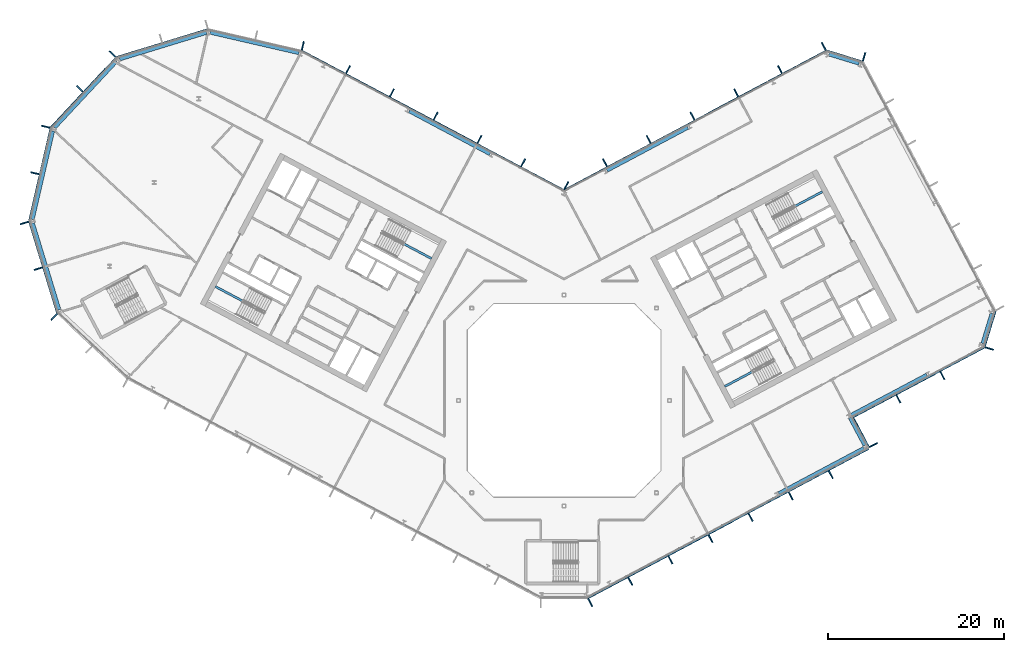
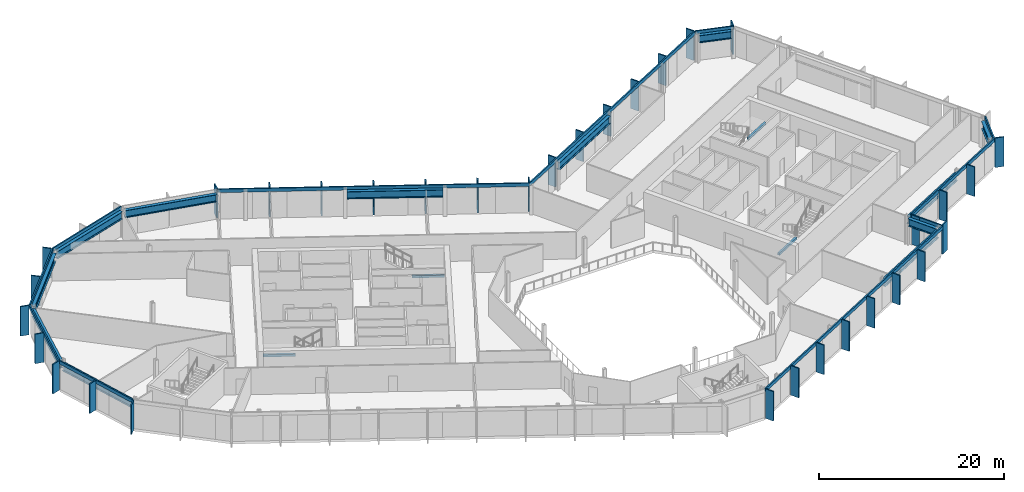
# One storey, part 9 of 27: 44 members, 16 beams, 13 elements without a shape of their own.
"""IFC4 building model written with IfcOpenShell, lengths in metres."""

from ifc_helpers import new_model, si_unit, direction, frame, origin, origin_2d, place, context, subcontext, project, spatial, rectangle, i_section, extrude, material, layer, layer_set, material_profile, profile_set, type_object, element, aggregate, save


model = new_model("IFC4")

# Units and contexts
model_context = context("Model", 3, precision=1e-05, world=origin(), true_north=direction((0.0, 1.0)))
body_context = subcontext(model_context, "Body", "Model", "MODEL_VIEW")
ifc_project = project(units=[si_unit("LENGTHUNIT", "METRE"), si_unit("AREAUNIT", "SQUARE_METRE"), si_unit("VOLUMEUNIT", "CUBIC_METRE"), si_unit("PLANEANGLEUNIT", "RADIAN"), si_unit("MASSUNIT", "GRAM", prefix="KILO")], contexts=[model_context])

# Site, building, storey
site_placement = place(None, origin())
site = spatial("IfcSite", under=ifc_project, at=site_placement, CompositionType="ELEMENT")
building_placement = place(site_placement, origin())
building = spatial("IfcBuilding", under=site, at=building_placement, Name="Cormorant Relay Tower", CompositionType="ELEMENT")
storey_placement = place(building_placement, frame((0.0, 0.0, 232.5)))
storey = spatial("IfcBuildingStorey", under=building, at=storey_placement, Name="L51", CompositionType="ELEMENT", Elevation=232.5)

# Curtain wall, members
ifc_material_1 = material(Name="Aluminium 6063-T6 anodised bronze", Category="aluminium")
ifc_layer = layer(ifc_material_1, 0.199951171875)
ifc_layer_set = layer_set([ifc_layer], Name="CW1 unitised bronze curtain wall with vertical fins")
curtain_wall_type = type_object("IfcCurtainWallType", Name="CW1 unitised bronze curtain wall with vertical fins", PredefinedType="NOTDEFINED", material=ifc_layer_set)
curtain_wall_1_placement = place(storey_placement, origin())
curtain_wall_1 = element("IfcCurtainWall", 1, at=curtain_wall_1_placement, inside=storey, type_object=curtain_wall_type, Name="CW1 curtain wall 2", PredefinedType="NOTDEFINED")
ifc_material_2 = material(Name="Aluminium 6063-T6 anodised bronze", Category="aluminium")
ifc_material_profile_1 = material_profile(ifc_material_2, rectangle(XDim=0.14990234375, YDim=1.0, at=origin_2d()), Name="AL 150x1000")
ifc_profile_set_1 = profile_set([ifc_material_profile_1], Name="Aluminium 6063-T6 anodised bronze")
member_type_1 = type_object("IfcMemberType", Name="CW1 bronze fin mullion 150 x 1000", PredefinedType="MULLION", material=ifc_profile_set_1)
member_1_placement = place(storey_placement, frame((2.9775390625, -22.99365234375, 0.0), z_axis=(0.0, 0.0, 1.0), x_axis=(0.882947592859, 0.469471562786, 0.0)))
member_1 = element("IfcMember", 2, at=member_1_placement, type_object=member_type_1, Name="CW1 fin 2.1", PredefinedType="MULLION", context=body_context, shape_type="SweptSolid", body=[
    extrude(rectangle(XDim=0.14990234375, YDim=1.0, at=origin_2d()), origin(), (0.0, 0.0, 1.0), 3.89990234375),
])
member_2_placement = place(storey_placement, frame((7.539306640625, -20.568115234375, 0.0), z_axis=(0.0, 0.0, 1.0), x_axis=(0.882947592859, 0.469471562786, 0.0)))
member_2 = element("IfcMember", 3, at=member_2_placement, type_object=member_type_1, Name="CW1 fin 2.2", PredefinedType="MULLION", context=body_context, shape_type="SweptSolid", body=[
    extrude(rectangle(XDim=0.14990234375, YDim=1.0, at=origin_2d()), origin(), (0.0, 0.0, 1.0), 3.89990234375),
])
member_3_placement = place(storey_placement, frame((12.10107421875, -18.142578125, 0.0), z_axis=(0.0, 0.0, 1.0), x_axis=(0.882947592859, 0.469471562786, 0.0)))
member_3 = element("IfcMember", 4, at=member_3_placement, type_object=member_type_1, Name="CW1 fin 2.3", PredefinedType="MULLION", context=body_context, shape_type="SweptSolid", body=[
    extrude(rectangle(XDim=0.14990234375, YDim=1.0, at=origin_2d()), origin(), (0.0, 0.0, 1.0), 3.89990234375),
])
member_4_placement = place(storey_placement, frame((16.662841796875, -15.717041015625, 0.0), z_axis=(0.0, 0.0, 1.0), x_axis=(0.882947592859, 0.469471562786, 0.0)))
member_4 = element("IfcMember", 5, at=member_4_placement, type_object=member_type_1, Name="CW1 fin 2.4", PredefinedType="MULLION", context=body_context, shape_type="SweptSolid", body=[
    extrude(rectangle(XDim=0.14990234375, YDim=1.0, at=origin_2d()), origin(), (0.0, 0.0, 1.0), 3.89990234375),
])
member_5_placement = place(storey_placement, frame((21.224609375, -13.29150390625, 0.0), z_axis=(0.0, 0.0, 1.0), x_axis=(0.882947592859, 0.469471562786, 0.0)))
member_5 = element("IfcMember", 6, at=member_5_placement, type_object=member_type_1, Name="CW1 fin 2.5", PredefinedType="MULLION", context=body_context, shape_type="SweptSolid", body=[
    extrude(rectangle(XDim=0.14990234375, YDim=1.0, at=origin_2d()), origin(), (0.0, 0.0, 1.0), 3.89990234375),
])
member_6_placement = place(storey_placement, frame((25.78662109375, -10.865966796875, 0.0), z_axis=(0.0, 0.0, 1.0), x_axis=(0.882947592859, 0.469471562786, 0.0)))
member_6 = element("IfcMember", 7, at=member_6_placement, type_object=member_type_1, Name="CW1 fin 2.6", PredefinedType="MULLION", context=body_context, shape_type="SweptSolid", body=[
    extrude(rectangle(XDim=0.14990234375, YDim=1.0, at=origin_2d()), origin(), (0.0, 0.0, 1.0), 3.89990234375),
])
member_7_placement = place(storey_placement, frame((30.348388671875, -8.440185546875, 0.0), z_axis=(0.0, 0.0, 1.0), x_axis=(0.882947592859, 0.469471562786, 0.0)))
member_7 = element("IfcMember", 8, at=member_7_placement, type_object=member_type_1, Name="CW1 fin 2.7", PredefinedType="MULLION", context=body_context, shape_type="SweptSolid", body=[
    extrude(rectangle(XDim=0.14990234375, YDim=1.0, at=origin_2d()), origin(), (0.0, 0.0, 1.0), 3.89990234375),
])

# Curtain wall, member
curtain_wall_2_placement = place(storey_placement, origin())
curtain_wall_2 = element("IfcCurtainWall", 9, at=curtain_wall_2_placement, inside=storey, type_object=curtain_wall_type, Name="CW1 curtain wall 3", PredefinedType="NOTDEFINED")
member_8_placement = place(storey_placement, frame((35.199462890625, -5.068115234375, 0.0), z_axis=(0.0, 0.0, 1.0), x_axis=(-0.469471562786, 0.882947592859, 0.0)))
member_8 = element("IfcMember", 10, at=member_8_placement, type_object=member_type_1, Name="CW1 fin 3.1", PredefinedType="MULLION", context=body_context, shape_type="SweptSolid", body=[
    extrude(rectangle(XDim=0.14990234375, YDim=1.0, at=origin_2d()), origin(), (0.0, 0.0, 1.0), 3.89990234375),
])

# Curtain wall, members
curtain_wall_3_placement = place(storey_placement, origin())
curtain_wall_3 = element("IfcCurtainWall", 11, at=curtain_wall_3_placement, inside=storey, type_object=curtain_wall_type, Name="CW1 curtain wall 4", PredefinedType="NOTDEFINED")
member_9_placement = place(storey_placement, frame((33.098388671875, -2.44775390625, 0.0), z_axis=(0.0, 0.0, 1.0), x_axis=(0.882947592859, 0.469471562786, 0.0)))
member_9 = element("IfcMember", 12, at=member_9_placement, type_object=member_type_1, Name="CW1 fin 4.1", PredefinedType="MULLION", context=body_context, shape_type="SweptSolid", body=[
    extrude(rectangle(XDim=0.14990234375, YDim=1.0, at=origin_2d()), origin(), (0.0, 0.0, 1.0), 3.89990234375),
])
member_10_placement = place(storey_placement, frame((38.035400390625, 0.177490234375, 0.0), z_axis=(0.0, 0.0, 1.0), x_axis=(0.882947592859, 0.469471562786, 0.0)))
member_10 = element("IfcMember", 13, at=member_10_placement, type_object=member_type_1, Name="CW1 fin 4.2", PredefinedType="MULLION", context=body_context, shape_type="SweptSolid", body=[
    extrude(rectangle(XDim=0.14990234375, YDim=1.0, at=origin_2d()), origin(), (0.0, 0.0, 1.0), 3.89990234375),
])
member_11_placement = place(storey_placement, frame((43.038818359375, 2.837646484375, 0.0), z_axis=(0.0, 0.0, 1.0), x_axis=(0.882947592859, 0.469471562786, 0.0)))
member_11 = element("IfcMember", 14, at=member_11_placement, type_object=member_type_1, Name="CW1 fin 4.3", PredefinedType="MULLION", context=body_context, shape_type="SweptSolid", body=[
    extrude(rectangle(XDim=0.14990234375, YDim=1.0, at=origin_2d()), origin(), (0.0, 0.0, 1.0), 3.89990234375),
])

# Curtain wall, member
curtain_wall_4_placement = place(storey_placement, origin())
curtain_wall_4 = element("IfcCurtainWall", 15, at=curtain_wall_4_placement, inside=storey, type_object=curtain_wall_type, Name="CW1 curtain wall 5", PredefinedType="NOTDEFINED")
member_12_placement = place(storey_placement, frame((48.383056640625, 5.91162109375, 0.0), z_axis=(0.0, 0.0, 1.0), x_axis=(0.292371704723, 0.956304755963, 0.0)))
member_12 = element("IfcMember", 16, at=member_12_placement, type_object=member_type_1, Name="CW1 fin 5.1", PredefinedType="MULLION", context=body_context, shape_type="SweptSolid", body=[
    extrude(rectangle(XDim=0.14990234375, YDim=1.0, at=origin_2d()), origin(), (0.0, 0.0, 1.0), 3.89990234375),
])

curtain_wall_5_placement = place(storey_placement, origin())
curtain_wall_5 = element("IfcCurtainWall", 17, at=curtain_wall_5_placement, inside=storey, type_object=curtain_wall_type, Name="CW1 curtain wall 7", PredefinedType="NOTDEFINED")
member_13_placement = place(storey_placement, frame((34.1357421875, 39.09716796875, 0.0), z_axis=(0.0, 0.0, 1.0), x_axis=(-0.956304755963, 0.292371704723, 0.0)))
member_13 = element("IfcMember", 18, at=member_13_placement, type_object=member_type_1, Name="CW1 fin 7.1", PredefinedType="MULLION", context=body_context, shape_type="SweptSolid", body=[
    extrude(rectangle(XDim=0.14990234375, YDim=1.0, at=origin_2d()), origin(), (0.0, 0.0, 1.0), 3.89990234375),
])

# Curtain wall, members
curtain_wall_6_placement = place(storey_placement, origin())
curtain_wall_6 = element("IfcCurtainWall", 19, at=curtain_wall_6_placement, inside=storey, type_object=curtain_wall_type, Name="CW1 curtain wall 8", PredefinedType="NOTDEFINED")
member_14_placement = place(storey_placement, frame((29.545166015625, 40.2861328125, 0.0), z_axis=(0.0, 0.0, 1.0), x_axis=(-0.882947592859, -0.469471562786, 0.0)))
member_14 = element("IfcMember", 20, at=member_14_placement, type_object=member_type_1, Name="CW1 fin 8.1", PredefinedType="MULLION", context=body_context, shape_type="SweptSolid", body=[
    extrude(rectangle(XDim=0.14990234375, YDim=1.0, at=origin_2d()), origin(), (0.0, 0.0, 1.0), 3.89990234375),
])
member_15_placement = place(storey_placement, frame((24.566162109375, 37.638916015625, 0.0), z_axis=(0.0, 0.0, 1.0), x_axis=(-0.882947592859, -0.469471562786, 0.0)))
member_15 = element("IfcMember", 21, at=member_15_placement, type_object=member_type_1, Name="CW1 fin 8.2", PredefinedType="MULLION", context=body_context, shape_type="SweptSolid", body=[
    extrude(rectangle(XDim=0.14990234375, YDim=1.0, at=origin_2d()), origin(), (0.0, 0.0, 1.0), 3.89990234375),
])
member_16_placement = place(storey_placement, frame((19.587158203125, 34.991455078125, 0.0), z_axis=(0.0, 0.0, 1.0), x_axis=(-0.882947592859, -0.469471562786, 0.0)))
member_16 = element("IfcMember", 22, at=member_16_placement, type_object=member_type_1, Name="CW1 fin 8.3", PredefinedType="MULLION", context=body_context, shape_type="SweptSolid", body=[
    extrude(rectangle(XDim=0.14990234375, YDim=1.0, at=origin_2d()), origin(), (0.0, 0.0, 1.0), 3.89990234375),
])
member_17_placement = place(storey_placement, frame((14.608154296875, 32.343994140625, 0.0), z_axis=(0.0, 0.0, 1.0), x_axis=(-0.882947592859, -0.469471562786, 0.0)))
member_17 = element("IfcMember", 23, at=member_17_placement, type_object=member_type_1, Name="CW1 fin 8.4", PredefinedType="MULLION", context=body_context, shape_type="SweptSolid", body=[
    extrude(rectangle(XDim=0.14990234375, YDim=1.0, at=origin_2d()), origin(), (0.0, 0.0, 1.0), 3.89990234375),
])
member_18_placement = place(storey_placement, frame((9.62939453125, 29.69677734375, 0.0), z_axis=(0.0, 0.0, 1.0), x_axis=(-0.882947592859, -0.469471562786, 0.0)))
member_18 = element("IfcMember", 24, at=member_18_placement, type_object=member_type_1, Name="CW1 fin 8.5", PredefinedType="MULLION", context=body_context, shape_type="SweptSolid", body=[
    extrude(rectangle(XDim=0.14990234375, YDim=1.0, at=origin_2d()), origin(), (0.0, 0.0, 1.0), 3.89990234375),
])
member_19_placement = place(storey_placement, frame((4.650390625, 27.04931640625, 0.0), z_axis=(0.0, 0.0, 1.0), x_axis=(-0.882947592859, -0.469471562786, 0.0)))
member_19 = element("IfcMember", 25, at=member_19_placement, type_object=member_type_1, Name="CW1 fin 8.6", PredefinedType="MULLION", context=body_context, shape_type="SweptSolid", body=[
    extrude(rectangle(XDim=0.14990234375, YDim=1.0, at=origin_2d()), origin(), (0.0, 0.0, 1.0), 3.89990234375),
])

curtain_wall_7_placement = place(storey_placement, origin())
curtain_wall_7 = element("IfcCurtainWall", 26, at=curtain_wall_7_placement, inside=storey, type_object=curtain_wall_type, Name="CW1 curtain wall 9", PredefinedType="NOTDEFINED")
member_20_placement = place(storey_placement, frame((0.262451171875, 24.437255859375, 0.0), z_axis=(0.0, 0.0, 1.0), x_axis=(-0.882947592859, 0.469471562786, 0.0)))
member_20 = element("IfcMember", 27, at=member_20_placement, type_object=member_type_1, Name="CW1 fin 9.1", PredefinedType="MULLION", context=body_context, shape_type="SweptSolid", body=[
    extrude(rectangle(XDim=0.14990234375, YDim=1.0, at=origin_2d()), origin(), (0.0, 0.0, 1.0), 3.89990234375),
])
member_21_placement = place(storey_placement, frame((-4.650390625, 27.04931640625, 0.0), z_axis=(0.0, 0.0, 1.0), x_axis=(-0.882947592859, 0.469471562786, 0.0)))
member_21 = element("IfcMember", 28, at=member_21_placement, type_object=member_type_1, Name="CW1 fin 9.2", PredefinedType="MULLION", context=body_context, shape_type="SweptSolid", body=[
    extrude(rectangle(XDim=0.14990234375, YDim=1.0, at=origin_2d()), origin(), (0.0, 0.0, 1.0), 3.89990234375),
])
member_22_placement = place(storey_placement, frame((-9.62939453125, 29.69677734375, 0.0), z_axis=(0.0, 0.0, 1.0), x_axis=(-0.882947592859, 0.469471562786, 0.0)))
member_22 = element("IfcMember", 29, at=member_22_placement, type_object=member_type_1, Name="CW1 fin 9.3", PredefinedType="MULLION", context=body_context, shape_type="SweptSolid", body=[
    extrude(rectangle(XDim=0.14990234375, YDim=1.0, at=origin_2d()), origin(), (0.0, 0.0, 1.0), 3.89990234375),
])
member_23_placement = place(storey_placement, frame((-14.608154296875, 32.343994140625, 0.0), z_axis=(0.0, 0.0, 1.0), x_axis=(-0.882947592859, 0.469471562786, 0.0)))
member_23 = element("IfcMember", 30, at=member_23_placement, type_object=member_type_1, Name="CW1 fin 9.4", PredefinedType="MULLION", context=body_context, shape_type="SweptSolid", body=[
    extrude(rectangle(XDim=0.14990234375, YDim=1.0, at=origin_2d()), origin(), (0.0, 0.0, 1.0), 3.89990234375),
])
member_24_placement = place(storey_placement, frame((-19.587158203125, 34.991455078125, 0.0), z_axis=(0.0, 0.0, 1.0), x_axis=(-0.882947592859, 0.469471562786, 0.0)))
member_24 = element("IfcMember", 31, at=member_24_placement, type_object=member_type_1, Name="CW1 fin 9.5", PredefinedType="MULLION", context=body_context, shape_type="SweptSolid", body=[
    extrude(rectangle(XDim=0.14990234375, YDim=1.0, at=origin_2d()), origin(), (0.0, 0.0, 1.0), 3.89990234375),
])
member_25_placement = place(storey_placement, frame((-24.566162109375, 37.638916015625, 0.0), z_axis=(0.0, 0.0, 1.0), x_axis=(-0.882947592859, 0.469471562786, 0.0)))
member_25 = element("IfcMember", 32, at=member_25_placement, type_object=member_type_1, Name="CW1 fin 9.6", PredefinedType="MULLION", context=body_context, shape_type="SweptSolid", body=[
    extrude(rectangle(XDim=0.14990234375, YDim=1.0, at=origin_2d()), origin(), (0.0, 0.0, 1.0), 3.89990234375),
])

# Curtain wall, member
curtain_wall_8_placement = place(storey_placement, origin())
curtain_wall_8 = element("IfcCurtainWall", 33, at=curtain_wall_8_placement, inside=storey, type_object=curtain_wall_type, Name="CW1 curtain wall 10", PredefinedType="NOTDEFINED")
member_26_placement = place(storey_placement, frame((-29.71630859375, 40.35009765625, 0.0), z_axis=(0.0, 0.0, 1.0), x_axis=(-0.974370064785, 0.224951054344, 0.0)))
member_26 = element("IfcMember", 34, at=member_26_placement, type_object=member_type_1, Name="CW1 fin 10.1", PredefinedType="MULLION", context=body_context, shape_type="SweptSolid", body=[
    extrude(rectangle(XDim=0.14990234375, YDim=1.0, at=origin_2d()), origin(), (0.0, 0.0, 1.0), 3.89990234375),
])
aggregate(curtain_wall_8, [member_26])

# Curtain wall, members
curtain_wall_9_placement = place(storey_placement, origin())
curtain_wall_9 = element("IfcCurtainWall", 35, at=curtain_wall_9_placement, inside=storey, type_object=curtain_wall_type, Name="CW1 curtain wall 12", PredefinedType="NOTDEFINED")
member_27_placement = place(storey_placement, frame((-51.372802734375, 39.41259765625, 0.0), z_axis=(0.0, 0.0, 1.0), x_axis=(-0.681998360062, -0.731353701619, 0.0)))
member_27 = element("IfcMember", 36, at=member_27_placement, type_object=member_type_1, Name="CW1 fin 12.1", PredefinedType="MULLION", context=body_context, shape_type="SweptSolid", body=[
    extrude(rectangle(XDim=0.14990234375, YDim=1.0, at=origin_2d()), origin(), (0.0, 0.0, 1.0), 3.89990234375),
])
member_28_placement = place(storey_placement, frame((-55.07958984375, 35.4375, 0.0), z_axis=(0.0, 0.0, 1.0), x_axis=(-0.681998360062, -0.731353701619, 0.0)))
member_28 = element("IfcMember", 37, at=member_28_placement, type_object=member_type_1, Name="CW1 fin 12.2", PredefinedType="MULLION", context=body_context, shape_type="SweptSolid", body=[
    extrude(rectangle(XDim=0.14990234375, YDim=1.0, at=origin_2d()), origin(), (0.0, 0.0, 1.0), 3.89990234375),
])

curtain_wall_10_placement = place(storey_placement, origin())
curtain_wall_10 = element("IfcCurtainWall", 38, at=curtain_wall_10_placement, inside=storey, type_object=curtain_wall_type, Name="CW1 curtain wall 13", PredefinedType="NOTDEFINED")
member_29_placement = place(storey_placement, frame((-58.95654296875, 31.142578125, 0.0), z_axis=(0.0, 0.0, 1.0), x_axis=(-0.224951054344, -0.974370064785, 0.0)))
member_29 = element("IfcMember", 39, at=member_29_placement, type_object=member_type_1, Name="CW1 fin 13.1", PredefinedType="MULLION", context=body_context, shape_type="SweptSolid", body=[
    extrude(rectangle(XDim=0.14990234375, YDim=1.0, at=origin_2d()), origin(), (0.0, 0.0, 1.0), 3.89990234375),
])
member_30_placement = place(storey_placement, frame((-60.17919921875, 25.8466796875, 0.0), z_axis=(0.0, 0.0, 1.0), x_axis=(-0.224951054344, -0.974370064785, 0.0)))
member_30 = element("IfcMember", 40, at=member_30_placement, type_object=member_type_1, Name="CW1 fin 13.2", PredefinedType="MULLION", context=body_context, shape_type="SweptSolid", body=[
    extrude(rectangle(XDim=0.14990234375, YDim=1.0, at=origin_2d()), origin(), (0.0, 0.0, 1.0), 3.89990234375),
])

curtain_wall_11_placement = place(storey_placement, origin())
curtain_wall_11 = element("IfcCurtainWall", 41, at=curtain_wall_11_placement, inside=storey, type_object=curtain_wall_type, Name="CW1 curtain wall 14", PredefinedType="NOTDEFINED")
member_31_placement = place(storey_placement, frame((-61.389404296875, 20.188720703125, 0.0), z_axis=(0.0, 0.0, 1.0), x_axis=(0.292371704723, -0.956304755963, 0.0)))
member_31 = element("IfcMember", 42, at=member_31_placement, type_object=member_type_1, Name="CW1 fin 14.1", PredefinedType="MULLION", context=body_context, shape_type="SweptSolid", body=[
    extrude(rectangle(XDim=0.14990234375, YDim=1.0, at=origin_2d()), origin(), (0.0, 0.0, 1.0), 3.89990234375),
])
member_32_placement = place(storey_placement, frame((-59.80029296875, 14.990966796875, 0.0), z_axis=(0.0, 0.0, 1.0), x_axis=(0.292371704723, -0.956304755963, 0.0)))
member_32 = element("IfcMember", 43, at=member_32_placement, type_object=member_type_1, Name="CW1 fin 14.2", PredefinedType="MULLION", context=body_context, shape_type="SweptSolid", body=[
    extrude(rectangle(XDim=0.14990234375, YDim=1.0, at=origin_2d()), origin(), (0.0, 0.0, 1.0), 3.89990234375),
])

# Curtain wall, member
curtain_wall_12_placement = place(storey_placement, origin())
curtain_wall_12 = element("IfcCurtainWall", 44, at=curtain_wall_12_placement, inside=storey, type_object=curtain_wall_type, Name="CW1 curtain wall 15", PredefinedType="NOTDEFINED")
member_33_placement = place(storey_placement, frame((-58.01904296875, 9.486083984375, 0.0), z_axis=(0.0, 0.0, 1.0), x_axis=(0.731353701619, -0.681998360062, 0.0)))
member_33 = element("IfcMember", 45, at=member_33_placement, type_object=member_type_1, Name="CW1 fin 15.1", PredefinedType="MULLION", context=body_context, shape_type="SweptSolid", body=[
    extrude(rectangle(XDim=0.14990234375, YDim=1.0, at=origin_2d()), origin(), (0.0, 0.0, 1.0), 3.89990234375),
])
aggregate(curtain_wall_12, [member_33])

# Member
ifc_material_3 = material(Name="Aluminium 6063-T6 anodised bronze", Category="aluminium")
ifc_material_profile_2 = material_profile(ifc_material_3, rectangle(XDim=0.159912109375, YDim=0.449951171875, at=origin_2d()), Name="AL 160x450")
ifc_profile_set_2 = profile_set([ifc_material_profile_2], Name="Aluminium 6063-T6 anodised bronze")
member_type_2 = type_object("IfcMemberType", Name="CW1 bronze transom 160 x 450", PredefinedType="USERDEFINED", material=ifc_profile_set_2)
member_34_placement = place(storey_placement, frame((2.705078125, -22.4814453125, 3.675048828125), z_axis=(0.882948899141, 0.469469106018, 0.0), x_axis=(-0.469469106018, 0.882948899141, 0.0)))
member_34 = element("IfcMember", 46, at=member_34_placement, type_object=member_type_2, Name="CW1 transom 2", ObjectType="TRANSOM", PredefinedType="USERDEFINED", context=body_context, shape_type="SweptSolid", body=[
    extrude(rectangle(XDim=0.159912109375, YDim=0.449951171875, at=origin_2d()), origin(), (0.0, 0.0, 1.0), 36.165771484375),
])

aggregate(curtain_wall_1, [member_1, member_2, member_3, member_4, member_5, member_6, member_7, member_34])

member_35_placement = place(storey_placement, frame((34.6875, -5.34033203125, 3.675048828125), z_axis=(-0.469485426614, 0.882940221191, 0.0), x_axis=(-0.882940221191, -0.469485426614, 0.0)))
member_35 = element("IfcMember", 47, at=member_35_placement, type_object=member_type_2, Name="CW1 transom 3", ObjectType="TRANSOM", PredefinedType="USERDEFINED", context=body_context, shape_type="SweptSolid", body=[
    extrude(rectangle(XDim=0.159912109375, YDim=0.449951171875, at=origin_2d()), origin(), (0.0, 0.0, 1.0), 4.0),
])

aggregate(curtain_wall_2, [member_8, member_35])

member_36_placement = place(storey_placement, frame((32.760009765625, -1.970947265625, 3.675048828125), z_axis=(0.882941803911, 0.469482450052, 0.0), x_axis=(-0.469482450052, 0.882941803911, 0.0)))
member_36 = element("IfcMember", 48, at=member_36_placement, type_object=member_type_2, Name="CW1 transom 4", ObjectType="TRANSOM", PredefinedType="USERDEFINED", context=body_context, shape_type="SweptSolid", body=[
    extrude(rectangle(XDim=0.159912109375, YDim=0.449951171875, at=origin_2d()), origin(), (0.0, 0.0, 1.0), 17.0),
])

aggregate(curtain_wall_3, [member_9, member_10, member_11, member_36])

member_37_placement = place(storey_placement, frame((47.828369140625, 6.0810546875, 3.675048828125), z_axis=(0.292391046905, 0.95629884225, 0.0), x_axis=(-0.95629884225, 0.292391046905, 0.0)))
member_37 = element("IfcMember", 49, at=member_37_placement, type_object=member_type_2, Name="CW1 transom 5", ObjectType="TRANSOM", PredefinedType="USERDEFINED", context=body_context, shape_type="SweptSolid", body=[
    extrude(rectangle(XDim=0.159912109375, YDim=0.449951171875, at=origin_2d()), origin(), (0.0, 0.0, 1.0), 4.242431640625),
])

aggregate(curtain_wall_4, [member_12, member_37])

member_38_placement = place(storey_placement, frame((33.966064453125, 38.54248046875, 3.675048828125), z_axis=(-0.956303761594, 0.292374957137, 0.0), x_axis=(-0.292374957137, -0.956303761594, 0.0)))
member_38 = element("IfcMember", 50, at=member_38_placement, type_object=member_type_2, Name="CW1 transom 7", ObjectType="TRANSOM", PredefinedType="USERDEFINED", context=body_context, shape_type="SweptSolid", body=[
    extrude(rectangle(XDim=0.159912109375, YDim=0.449951171875, at=origin_2d()), origin(), (0.0, 0.0, 1.0), 4.24267578125),
])

aggregate(curtain_wall_5, [member_13, member_38])

member_39_placement = place(storey_placement, frame((29.8173828125, 39.774169921875, 3.675048828125), z_axis=(-0.882946280328, -0.46947403129, 0.0), x_axis=(0.46947403129, -0.882946280328, 0.0)))
member_39 = element("IfcMember", 51, at=member_39_placement, type_object=member_type_2, Name="CW1 transom 8", ObjectType="TRANSOM", PredefinedType="USERDEFINED", context=body_context, shape_type="SweptSolid", body=[
    extrude(rectangle(XDim=0.159912109375, YDim=0.449951171875, at=origin_2d()), origin(), (0.0, 0.0, 1.0), 33.834228515625),
])

aggregate(curtain_wall_6, [member_14, member_15, member_16, member_17, member_18, member_19, member_39])

member_40_placement = place(storey_placement, frame((0.056396484375, 23.889892578125, 3.675048828125), z_axis=(-0.882946280328, 0.46947403129, 0.0), x_axis=(-0.46947403129, -0.882946280328, 0.0)))
member_40 = element("IfcMember", 52, at=member_40_placement, type_object=member_type_2, Name="CW1 transom 9", ObjectType="TRANSOM", PredefinedType="USERDEFINED", context=body_context, shape_type="SweptSolid", body=[
    extrude(rectangle(XDim=0.159912109375, YDim=0.449951171875, at=origin_2d()), origin(), (0.0, 0.0, 1.0), 33.834228515625),
])

aggregate(curtain_wall_7, [member_20, member_21, member_22, member_23, member_24, member_25, member_40])

# Curtain wall, member
curtain_wall_13_placement = place(storey_placement, origin())
curtain_wall_13 = element("IfcCurtainWall", 53, at=curtain_wall_13_placement, inside=storey, type_object=curtain_wall_type, Name="CW1 curtain wall 11", PredefinedType="NOTDEFINED")
member_41_placement = place(storey_placement, frame((-40.50048828125, 42.228271484375, 3.675048828125), z_axis=(-0.956304833932, -0.292371449698, 0.0), x_axis=(0.292371449698, -0.956304833932, 0.0)))
member_41 = element("IfcMember", 54, at=member_41_placement, type_object=member_type_2, Name="CW1 transom 11", ObjectType="TRANSOM", PredefinedType="USERDEFINED", context=body_context, shape_type="SweptSolid", body=[
    extrude(rectangle(XDim=0.159912109375, YDim=0.449951171875, at=origin_2d()), origin(), (0.0, 0.0, 1.0), 10.87060546875),
])
aggregate(curtain_wall_13, [member_41])

# Member
member_42_placement = place(storey_placement, frame((-50.94873046875, 39.01708984375, 3.675048828125), z_axis=(-0.681993299437, -0.731358420696, 0.0), x_axis=(0.731358420696, -0.681993299437, 0.0)))
member_42 = element("IfcMember", 55, at=member_42_placement, type_object=member_type_2, Name="CW1 transom 12", ObjectType="TRANSOM", PredefinedType="USERDEFINED", context=body_context, shape_type="SweptSolid", body=[
    extrude(rectangle(XDim=0.159912109375, YDim=0.449951171875, at=origin_2d()), origin(), (0.0, 0.0, 1.0), 10.870361328125),
])

aggregate(curtain_wall_9, [member_27, member_28, member_42])

member_43_placement = place(storey_placement, frame((-58.3916015625, 31.01220703125, 3.675048828125), z_axis=(-0.22495136131, -0.974369993916, 0.0), x_axis=(0.974369993916, -0.22495136131, 0.0)))
member_43 = element("IfcMember", 56, at=member_43_placement, type_object=member_type_2, Name="CW1 transom 13", ObjectType="TRANSOM", PredefinedType="USERDEFINED", context=body_context, shape_type="SweptSolid", body=[
    extrude(rectangle(XDim=0.159912109375, YDim=0.449951171875, at=origin_2d()), origin(), (0.0, 0.0, 1.0), 10.870361328125),
])

aggregate(curtain_wall_10, [member_29, member_30, member_43])

member_44_placement = place(storey_placement, frame((-60.834716796875, 20.358154296875, 3.675048828125), z_axis=(0.292377729282, -0.95630291405, 0.0), x_axis=(0.95630291405, 0.292377729282, 0.0)))
member_44 = element("IfcMember", 57, at=member_44_placement, type_object=member_type_2, Name="CW1 transom 14", ObjectType="TRANSOM", PredefinedType="USERDEFINED", context=body_context, shape_type="SweptSolid", body=[
    extrude(rectangle(XDim=0.159912109375, YDim=0.449951171875, at=origin_2d()), origin(), (0.0, 0.0, 1.0), 10.870361328125),
])

aggregate(curtain_wall_11, [member_31, member_32, member_44])

# Beams
ifc_material_4 = material(Name="Steel ASTM A992 (Fy 345 MPa)", Category="steel")
ifc_material_profile_3 = material_profile(ifc_material_4, i_section(OverallWidth=0.4013671875, OverallDepth=0.990478515625, WebThickness=0.0166015625, FlangeThickness=0.031005859375, FilletRadius=0.030029296875, at=origin_2d()), Name="W1000x320")
ifc_profile_set_3 = profile_set([ifc_material_profile_3], Name="Steel ASTM A992 (Fy 345 MPa)")
beam_type_1 = type_object("IfcBeamType", Name="Spandrel W1000x320", PredefinedType="SPANDREL", material=ifc_profile_set_3)
beam_1_placement = place(storey_placement, frame((24.423583984375, -10.5703125, 3.044677734375), z_axis=(0.882952735253, 0.469461891221, 0.0), x_axis=(-0.469461891221, 0.882952735253, 0.0)))
element("IfcBeam", 58, at=beam_1_placement, inside=storey, type_object=beam_type_1, Name="Spandrel beam L51-002", PredefinedType="SPANDREL", context=body_context, shape_type="SweptSolid", body=[
    extrude(i_section(OverallWidth=0.4013671875, OverallDepth=0.990478515625, WebThickness=0.0166015625, FlangeThickness=0.031005859375, FilletRadius=0.030029296875, at=origin_2d()), origin(), (0.0, 0.0, 1.0), 10.96142578125),
])
beam_2_placement = place(storey_placement, frame((34.20458984375, -5.115478515625, 3.044677734375), z_axis=(-0.469423552529, 0.882973118691, 0.0), x_axis=(-0.882973118691, -0.469423552529, 0.0)))
element("IfcBeam", 59, at=beam_2_placement, inside=storey, type_object=beam_type_1, Name="Spandrel beam L51-003", PredefinedType="SPANDREL", context=body_context, shape_type="SweptSolid", body=[
    extrude(i_section(OverallWidth=0.4013671875, OverallDepth=0.990478515625, WebThickness=0.0166015625, FlangeThickness=0.031005859375, FilletRadius=0.030029296875, at=origin_2d()), origin(), (0.0, 0.0, 1.0), 3.56982421875),
])
beam_3_placement = place(storey_placement, frame((32.609375, -1.687744140625, 3.044677734375), z_axis=(0.882948215634, 0.469470391515, 0.0), x_axis=(-0.469470391515, 0.882948215634, 0.0)))
element("IfcBeam", 60, at=beam_3_placement, inside=storey, type_object=beam_type_1, Name="Spandrel beam L51-004", PredefinedType="SPANDREL", context=body_context, shape_type="SweptSolid", body=[
    extrude(i_section(OverallWidth=0.4013671875, OverallDepth=0.990478515625, WebThickness=0.0166015625, FlangeThickness=0.031005859375, FilletRadius=0.030029296875, at=origin_2d()), origin(), (0.0, 0.0, 1.0), 9.79736328125),
])
for number, where, z_axis, x_axis, name in (
    (61, (47.618896484375, 6.4921875, 3.044677734375), (0.292349563537, 0.956311524923, 0.0), (-0.956311524923, 0.292349563537, 0.0), "Spandrel beam L51-005"),
    (62, (33.5546875, 38.3330078125, 3.044677734375), (-0.956311524923, 0.292349563537, 0.0), (-0.292349563537, -0.956311524923, 0.0), "Spandrel beam L51-007"),
):
    element("IfcBeam", number, at=place(storey_placement, frame(where, z_axis=z_axis, x_axis=x_axis)), inside=storey, type_object=beam_type_1, Name=name, PredefinedType="SPANDREL", context=body_context, shape_type="SweptSolid", body=[
        extrude(i_section(OverallWidth=0.4013671875, OverallDepth=0.990478515625, WebThickness=0.0166015625, FlangeThickness=0.031005859375, FilletRadius=0.030029296875, at=origin_2d()), origin(), (0.0, 0.0, 1.0), 3.59765625),
    ])
for number, where, z_axis, x_axis, name in (
    (63, (14.0732421875, 31.03955078125, 3.044677734375), (-0.882949648898, -0.469467695918, 0.0), (0.469467695918, -0.882949648898, 0.0), "Spandrel beam L51-008"),
    (64, (-8.426025390625, 28.036865234375, 3.044677734375), (-0.882949648898, 0.469467695918, 0.0), (-0.469467695918, -0.882949648898, 0.0), "Spandrel beam L51-009"),
):
    element("IfcBeam", number, at=place(storey_placement, frame(where, z_axis=z_axis, x_axis=x_axis)), inside=storey, type_object=beam_type_1, Name=name, PredefinedType="SPANDREL", context=body_context, shape_type="SweptSolid", body=[
        extrude(i_section(OverallWidth=0.4013671875, OverallDepth=0.990478515625, WebThickness=0.0166015625, FlangeThickness=0.031005859375, FilletRadius=0.030029296875, at=origin_2d()), origin(), (0.0, 0.0, 1.0), 10.39599609375),
    ])
beam_4_placement = place(storey_placement, frame((-30.1533203125, 39.526611328125, 3.044677734375), z_axis=(-0.97436619016, 0.22496783653, 0.0), x_axis=(-0.22496783653, -0.97436619016, 0.0)))
element("IfcBeam", 65, at=beam_4_placement, inside=storey, type_object=beam_type_1, Name="Spandrel beam L51-010", PredefinedType="SPANDREL", context=body_context, shape_type="SweptSolid", body=[
    extrude(i_section(OverallWidth=0.4013671875, OverallDepth=0.990478515625, WebThickness=0.0166015625, FlangeThickness=0.031005859375, FilletRadius=0.030029296875, at=origin_2d()), origin(), (0.0, 0.0, 1.0), 10.369384765625),
])
beam_5_placement = place(storey_placement, frame((-40.680419921875, 41.837890625, 3.044677734375), z_axis=(-0.956303094801, -0.292377138084, 0.0), x_axis=(0.292377138084, -0.956303094801, 0.0)))
element("IfcBeam", 66, at=beam_5_placement, inside=storey, type_object=beam_type_1, Name="Spandrel beam L51-011", PredefinedType="SPANDREL", context=body_context, shape_type="SweptSolid", body=[
    extrude(i_section(OverallWidth=0.4013671875, OverallDepth=0.990478515625, WebThickness=0.0166015625, FlangeThickness=0.031005859375, FilletRadius=0.030029296875, at=origin_2d()), origin(), (0.0, 0.0, 1.0), 10.32421875),
])
beam_6_placement = place(storey_placement, frame((-50.90966796875, 38.5888671875, 3.044677734375), z_axis=(-0.681996285296, -0.731355636365, 0.0), x_axis=(0.731355636365, -0.681996285296, 0.0)))
element("IfcBeam", 67, at=beam_6_placement, inside=storey, type_object=beam_type_1, Name="Spandrel beam L51-012", PredefinedType="SPANDREL", context=body_context, shape_type="SweptSolid", body=[
    extrude(i_section(OverallWidth=0.4013671875, OverallDepth=0.990478515625, WebThickness=0.0166015625, FlangeThickness=0.031005859375, FilletRadius=0.030029296875, at=origin_2d()), origin(), (0.0, 0.0, 1.0), 10.32275390625),
])
beam_7_placement = place(storey_placement, frame((-58.143310546875, 30.66162109375, 3.044677734375), z_axis=(-0.224957947919, -0.974368473252, 0.0), x_axis=(0.974368473252, -0.224957947919, 0.0)))
element("IfcBeam", 68, at=beam_7_placement, inside=storey, type_object=beam_type_1, Name="Spandrel beam L51-013", PredefinedType="SPANDREL", context=body_context, shape_type="SweptSolid", body=[
    extrude(i_section(OverallWidth=0.4013671875, OverallDepth=0.990478515625, WebThickness=0.0166015625, FlangeThickness=0.031005859375, FilletRadius=0.030029296875, at=origin_2d()), origin(), (0.0, 0.0, 1.0), 10.32421875),
])
beam_8_placement = place(storey_placement, frame((-60.4443359375, 20.178466796875, 3.044677734375), z_axis=(0.29236873538, -0.956305663777, 0.0), x_axis=(0.956305663777, 0.29236873538, 0.0)))
element("IfcBeam", 69, at=beam_8_placement, inside=storey, type_object=beam_type_1, Name="Spandrel beam L51-014", PredefinedType="SPANDREL", context=body_context, shape_type="SweptSolid", body=[
    extrude(i_section(OverallWidth=0.4013671875, OverallDepth=0.990478515625, WebThickness=0.0166015625, FlangeThickness=0.031005859375, FilletRadius=0.030029296875, at=origin_2d()), origin(), (0.0, 0.0, 1.0), 10.32373046875),
])
ifc_material_5 = material(Name="Concrete 50 MPa", Category="concrete")
ifc_material_profile_4 = material_profile(ifc_material_5, rectangle(XDim=0.25, YDim=0.300048828125, at=origin_2d()), Name="RC 250x300")
ifc_profile_set_4 = profile_set([ifc_material_profile_4], Name="Concrete 50 MPa")
beam_type_2 = type_object("IfcBeamType", Name="Stair landing ledge beam 250x300", PredefinedType="BEAM", material=ifc_profile_set_4)
beam_9_placement = place(storey_placement, frame((-18.219482421875, 17.813720703125, 1.60009765625), z_axis=(0.882950035608, -0.469466968614, 0.0), x_axis=(0.469466968614, 0.882950035608, 0.0)))
element("IfcBeam", 70, at=beam_9_placement, inside=storey, type_object=beam_type_2, Name="A1 landing ledge beam", PredefinedType="BEAM", context=body_context, shape_type="SweptSolid", body=[
    extrude(rectangle(XDim=0.25, YDim=0.300048828125, at=origin_2d()), origin(), (0.0, 0.0, 1.0), 3.5498046875),
])
for number, where, z_axis, x_axis, name in (
    (71, (-36.523193359375, 11.29345703125, 1.60009765625), (-0.88293668587, 0.469492075273, 0.0), (-0.469492075273, -0.88293668587, 0.0), "A2 landing ledge beam"),
    (72, (21.4248046875, 3.265380859375, 1.60009765625), (-0.88296519247, -0.469438461235, 0.0), (0.469438461235, -0.88296519247, 0.0), "B1 landing ledge beam"),
    (73, (26.25439453125, 22.0859375, 1.60009765625), (0.88296519247, 0.469438461235, 0.0), (-0.469438461235, 0.88296519247, 0.0), "B2 landing ledge beam"),
):
    element("IfcBeam", number, at=place(storey_placement, frame(where, z_axis=z_axis, x_axis=x_axis)), inside=storey, type_object=beam_type_2, Name=name, PredefinedType="BEAM", context=body_context, shape_type="SweptSolid", body=[
        extrude(rectangle(XDim=0.25, YDim=0.300048828125, at=origin_2d()), origin(), (0.0, 0.0, 1.0), 3.550048828125),
    ])

save(model, "model.ifc")
